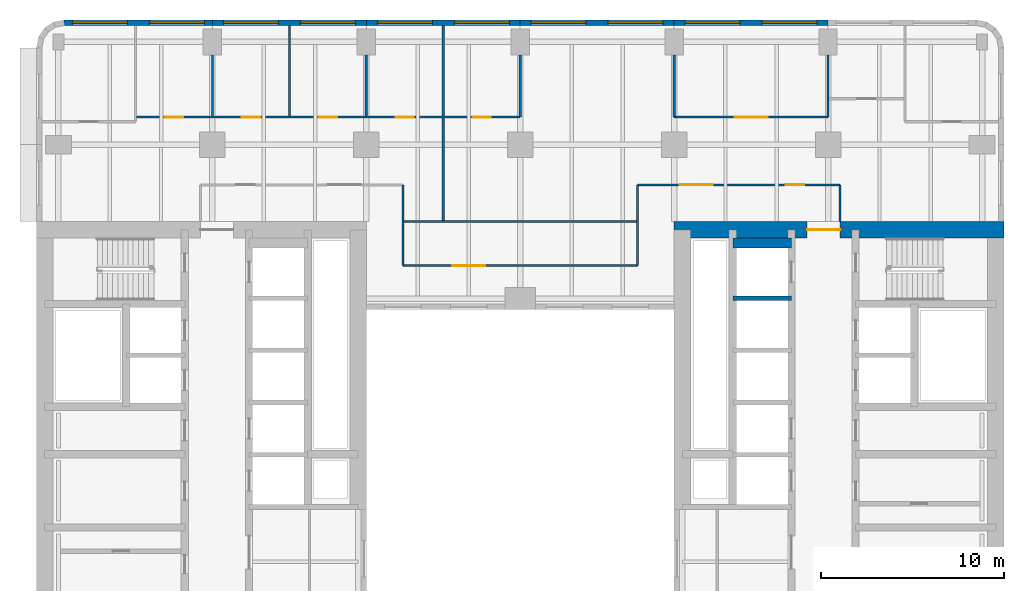
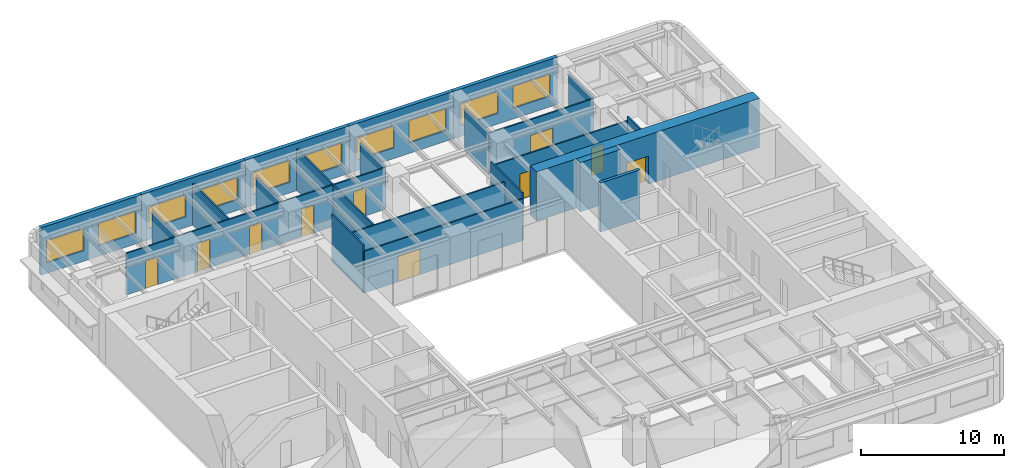
# One storey, part 7 of 11: 24 walls, 10 doors, 10 windows, 20 openings.
"""IFC4 building model written with IfcOpenShell, lengths in metres."""

from ifc_helpers import new_model, si_unit, direction, frame, frame_2d, origin, place, context, subcontext, project, spatial, rectangle, extrude, material, layer, layer_set, type_object, element, fill, save


model = new_model("IFC4")

# Units and contexts
model_context = context("Model", 3, precision=1e-05, world=origin(), true_north=direction((0.0, 1.0)))
body_context = subcontext(model_context, "Body", "Model", "MODEL_VIEW")
ifc_project = project(units=[si_unit("LENGTHUNIT", "METRE"), si_unit("AREAUNIT", "SQUARE_METRE"), si_unit("VOLUMEUNIT", "CUBIC_METRE"), si_unit("PLANEANGLEUNIT", "RADIAN"), si_unit("MASSUNIT", "GRAM", prefix="KILO")], contexts=[model_context])

# Site, building, storey
site_placement = place(None, origin())
site = spatial("IfcSite", under=ifc_project, at=site_placement, CompositionType="ELEMENT")
building_placement = place(site_placement, origin())
building = spatial("IfcBuilding", under=site, at=building_placement, Name="Claustro Exchange Tower", CompositionType="ELEMENT")
storey_placement = place(building_placement, frame((0.0, 0.0, 142.800048828125)))
storey = spatial("IfcBuildingStorey", under=building, at=storey_placement, Name="L32", CompositionType="ELEMENT", Elevation=142.800048828125)

# Wall, openings, doors
ifc_material_1 = material(Name="Laminated glass in aluminium frame", Category="aluminium")
ifc_layer_1 = layer(ifc_material_1, 0.1201171875)
ifc_layer_set_1 = layer_set([ifc_layer_1], Name="Laminated glass in aluminium frame")
wall_type_1 = type_object("IfcWallType", Name="P2 120 glazed partition", PredefinedType="PARTITIONING", material=ifc_layer_set_1)
wall_1_placement = place(storey_placement, frame((4.258056640625, 43.5, 0.0), z_axis=(0.0, 0.0, 1.0), x_axis=(1.0, 0.0, 0.0)))
wall_1 = element("IfcWall", 1, at=wall_1_placement, inside=storey, type_object=wall_type_1, Name="Partition P2 L32", PredefinedType="PARTITIONING", context=body_context, shape_type="SweptSolid", body=[
    extrude(rectangle(XDim=20.94189453125, YDim=0.1201171875, at=frame_2d((10.470947265625, 0.0))), origin(), (0.0, 0.0, 1.0), 3.550048828125),
])
opening_1_placement = place(wall_1_placement, frame((1.5419921875, 0.0, 0.0)))
opening_1 = element("IfcOpeningElement", 2, at=opening_1_placement, cuts=wall_1, Name="Opening D7", PredefinedType="OPENING", context=body_context, shape_type="SweptSolid", body=[
    extrude(rectangle(XDim=1.0, YDim=2.39990234375, at=frame_2d((0.5, 1.199951171875))), frame((0.0, 0.070068359375, 0.0), z_axis=(0.0, -1.0, 0.0), x_axis=(1.0, 0.0, 0.0)), (0.0, 0.0, 1.0), 0.14013671875),
])
opening_2_placement = place(wall_1_placement, frame((5.741943359375, 0.0, 0.0)))
opening_2 = element("IfcOpeningElement", 3, at=opening_2_placement, cuts=wall_1, Name="Opening D7", PredefinedType="OPENING", context=body_context, shape_type="SweptSolid", body=[
    extrude(rectangle(XDim=1.0, YDim=2.39990234375, at=frame_2d((0.5, 1.199951171875))), frame((0.0, 0.070068359375, 0.0), z_axis=(0.0, -1.0, 0.0), x_axis=(1.0, 0.0, 0.0)), (0.0, 0.0, 1.0), 0.14013671875),
])
opening_3_placement = place(wall_1_placement, frame((9.94189453125, 0.0, 0.0)))
opening_3 = element("IfcOpeningElement", 4, at=opening_3_placement, cuts=wall_1, Name="Opening D7", PredefinedType="OPENING", context=body_context, shape_type="SweptSolid", body=[
    extrude(rectangle(XDim=1.0, YDim=2.39990234375, at=frame_2d((0.5, 1.199951171875))), frame((0.0, 0.070068359375, 0.0), z_axis=(0.0, -1.0, 0.0), x_axis=(1.0, 0.0, 0.0)), (0.0, 0.0, 1.0), 0.14013671875),
])
opening_4_placement = place(wall_1_placement, frame((14.14208984375, 0.0, 0.0)))
opening_4 = element("IfcOpeningElement", 5, at=opening_4_placement, cuts=wall_1, Name="Opening D7", PredefinedType="OPENING", context=body_context, shape_type="SweptSolid", body=[
    extrude(rectangle(XDim=1.0, YDim=2.39990234375, at=frame_2d((0.5, 1.199951171875))), frame((0.0, 0.070068359375, 0.0), z_axis=(0.0, -1.0, 0.0), x_axis=(1.0, 0.0, 0.0)), (0.0, 0.0, 1.0), 0.14013671875),
])
opening_5_placement = place(wall_1_placement, frame((18.342041015625, 0.0, 0.0)))
opening_5 = element("IfcOpeningElement", 6, at=opening_5_placement, cuts=wall_1, Name="Opening D7", PredefinedType="OPENING", context=body_context, shape_type="SweptSolid", body=[
    extrude(rectangle(XDim=1.0, YDim=2.39990234375, at=frame_2d((0.5, 1.199951171875))), frame((0.0, 0.070068359375, 0.0), z_axis=(0.0, -1.0, 0.0), x_axis=(1.0, 0.0, 0.0)), (0.0, 0.0, 1.0), 0.14013671875),
])
ifc_material_2 = material(Name="Glass door in aluminium frame", Category="aluminium")
door_type_1 = type_object("IfcDoorType", Name="D7 1000 x 2400 glazed door", OperationType="SINGLE_SWING_LEFT", PredefinedType="DOOR", material=ifc_material_2)
door_1_placement = place(opening_1_placement, origin())
door_1 = element("IfcDoor", 7, at=door_1_placement, inside=storey, type_object=door_type_1, Name="Door D7 L32", OperationType="SINGLE_SWING_LEFT", OverallHeight=2.39990234375, OverallWidth=1.0, PredefinedType="DOOR", context=body_context, shape_type="SweptSolid", body=[
    extrude(rectangle(XDim=1.0, YDim=2.39990234375, at=frame_2d((0.5, 1.199951171875))), frame((0.0, 0.02490234375, 0.0), z_axis=(0.0, -1.0, 0.0), x_axis=(1.0, 0.0, 0.0)), (0.0, 0.0, 1.0), 0.050048828125),
])
fill(opening_1, door_1)
door_2_placement = place(opening_2_placement, origin())
door_2 = element("IfcDoor", 8, at=door_2_placement, inside=storey, type_object=door_type_1, Name="Door D7 L32", OperationType="SINGLE_SWING_RIGHT", OverallHeight=2.39990234375, OverallWidth=1.0, PredefinedType="DOOR", context=body_context, shape_type="SweptSolid", body=[
    extrude(rectangle(XDim=1.0, YDim=2.39990234375, at=frame_2d((0.5, 1.199951171875))), frame((0.0, 0.02490234375, 0.0), z_axis=(0.0, -1.0, 0.0), x_axis=(1.0, 0.0, 0.0)), (0.0, 0.0, 1.0), 0.050048828125),
])
fill(opening_2, door_2)
door_3_placement = place(opening_3_placement, origin())
door_3 = element("IfcDoor", 9, at=door_3_placement, inside=storey, type_object=door_type_1, Name="Door D7 L32", OperationType="SINGLE_SWING_LEFT", OverallHeight=2.39990234375, OverallWidth=1.0, PredefinedType="DOOR", context=body_context, shape_type="SweptSolid", body=[
    extrude(rectangle(XDim=1.0, YDim=2.39990234375, at=frame_2d((0.5, 1.199951171875))), frame((0.0, 0.02490234375, 0.0), z_axis=(0.0, -1.0, 0.0), x_axis=(1.0, 0.0, 0.0)), (0.0, 0.0, 1.0), 0.050048828125),
])
fill(opening_3, door_3)
door_4_placement = place(opening_4_placement, origin())
door_4 = element("IfcDoor", 10, at=door_4_placement, inside=storey, type_object=door_type_1, Name="Door D7 L32", OperationType="SINGLE_SWING_LEFT", OverallHeight=2.39990234375, OverallWidth=1.0, PredefinedType="DOOR", context=body_context, shape_type="SweptSolid", body=[
    extrude(rectangle(XDim=1.0, YDim=2.39990234375, at=frame_2d((0.5, 1.199951171875))), frame((0.0, 0.02490234375, 0.0), z_axis=(0.0, -1.0, 0.0), x_axis=(1.0, 0.0, 0.0)), (0.0, 0.0, 1.0), 0.050048828125),
])
fill(opening_4, door_4)
door_5_placement = place(opening_5_placement, origin())
door_5 = element("IfcDoor", 11, at=door_5_placement, inside=storey, type_object=door_type_1, Name="Door D7 L32", OperationType="SINGLE_SWING_LEFT", OverallHeight=2.39990234375, OverallWidth=1.0, PredefinedType="DOOR", context=body_context, shape_type="SweptSolid", body=[
    extrude(rectangle(XDim=1.0, YDim=2.39990234375, at=frame_2d((0.5, 1.199951171875))), frame((0.0, 0.02490234375, 0.0), z_axis=(0.0, -1.0, 0.0), x_axis=(1.0, 0.0, 0.0)), (0.0, 0.0, 1.0), 0.050048828125),
])
fill(opening_5, door_5)

# Walls
wall_2_placement = place(storey_placement, frame((8.39990234375, 43.55810546875, 0.0), z_axis=(0.0, 0.0, 1.0), x_axis=(0.0, 1.0, 0.0)))
element("IfcWall", 12, at=wall_2_placement, inside=storey, type_object=wall_type_1, Name="Partition P2 L32", PredefinedType="PARTITIONING", context=body_context, shape_type="SweptSolid", body=[
    extrude(rectangle(XDim=3.3427734375, YDim=0.1201171875, at=frame_2d((1.67138671875, 0.0))), origin(), (0.0, 0.0, 1.0), 3.550048828125),
])
wall_3_placement = place(storey_placement, frame((12.60009765625, 43.55810546875, 0.0), z_axis=(0.0, 0.0, 1.0), x_axis=(0.0, 1.0, 0.0)))
element("IfcWall", 13, at=wall_3_placement, inside=storey, type_object=wall_type_1, Name="Partition P2 L32", PredefinedType="PARTITIONING", context=body_context, shape_type="SweptSolid", body=[
    extrude(rectangle(XDim=4.94384765625, YDim=0.1201171875, at=frame_2d((2.471923828125, 0.0))), origin(), (0.0, 0.0, 1.0), 3.56005859375),
])
wall_4_placement = place(storey_placement, frame((16.800048828125, 43.55810546875, 0.0), z_axis=(0.0, 0.0, 1.0), x_axis=(0.0, 1.0, 0.0)))
element("IfcWall", 14, at=wall_4_placement, inside=storey, type_object=wall_type_1, Name="Partition P2 L32", PredefinedType="PARTITIONING", context=body_context, shape_type="SweptSolid", body=[
    extrude(rectangle(XDim=3.3427734375, YDim=0.1201171875, at=frame_2d((1.67138671875, 0.0))), origin(), (0.0, 0.0, 1.0), 3.550048828125),
])
wall_5_placement = place(storey_placement, frame((21.0, 43.55810546875, 0.0), z_axis=(0.0, 0.0, 1.0), x_axis=(0.0, 1.0, 0.0)))
element("IfcWall", 15, at=wall_5_placement, inside=storey, type_object=wall_type_1, Name="Partition P2 L32", PredefinedType="PARTITIONING", context=body_context, shape_type="SweptSolid", body=[
    extrude(rectangle(XDim=4.94384765625, YDim=0.1201171875, at=frame_2d((2.471923828125, 0.0))), origin(), (0.0, 0.0, 1.0), 3.56005859375),
])
wall_6_placement = place(storey_placement, frame((25.199951171875, 43.5, 0.0), z_axis=(0.0, 0.0, 1.0), x_axis=(0.0, 1.0, 0.0)))
element("IfcWall", 16, at=wall_6_placement, inside=storey, type_object=wall_type_1, Name="Partition P2 L32", PredefinedType="PARTITIONING", context=body_context, shape_type="SweptSolid", body=[
    extrude(rectangle(XDim=3.40087890625, YDim=0.1201171875, at=frame_2d((1.700439453125, 0.0))), origin(), (0.0, 0.0, 1.0), 3.550048828125),
])

# Wall, opening, door
wall_7_placement = place(storey_placement, frame((33.60009765625, 43.5, 0.0), z_axis=(0.0, 0.0, 1.0), x_axis=(1.0, 0.0, 0.0)))
wall_7 = element("IfcWall", 17, at=wall_7_placement, inside=storey, type_object=wall_type_1, Name="Partition P2 L32", PredefinedType="PARTITIONING", context=body_context, shape_type="SweptSolid", body=[
    extrude(rectangle(XDim=8.39990234375, YDim=0.1201171875, at=frame_2d((4.199951171875, 0.0))), origin(), (0.0, 0.0, 1.0), 3.550048828125),
])
opening_6_placement = place(wall_7_placement, frame((3.300048828125, 0.0, 0.0)))
opening_6 = element("IfcOpeningElement", 18, at=opening_6_placement, cuts=wall_7, Name="Opening D2", PredefinedType="OPENING", context=body_context, shape_type="SweptSolid", body=[
    extrude(rectangle(XDim=1.800048828125, YDim=2.199951171875, at=frame_2d((0.89990234375, 1.10009765625))), frame((0.0, 0.070068359375, 0.0), z_axis=(0.0, -1.0, 0.0), x_axis=(1.0, 0.0, 0.0)), (0.0, 0.0, 1.0), 0.14013671875),
])
ifc_material_3 = material(Name="Timber door, oak veneer", Category="wood")
door_type_2 = type_object("IfcDoorType", Name="D2 1800 x 2200 double door", OperationType="DOUBLE_DOOR_SINGLE_SWING", PredefinedType="DOOR", material=ifc_material_3)
door_6_placement = place(opening_6_placement, origin())
door_6 = element("IfcDoor", 19, at=door_6_placement, inside=storey, type_object=door_type_2, Name="Double door D2 L32", OperationType="DOUBLE_DOOR_SINGLE_SWING", OverallHeight=2.199951171875, OverallWidth=1.800048828125, PredefinedType="DOOR", context=body_context, shape_type="SweptSolid", body=[
    extrude(rectangle(XDim=1.800048828125, YDim=2.199951171875, at=frame_2d((0.89990234375, 1.10009765625))), frame((0.0, 0.02490234375, 0.0), z_axis=(0.0, -1.0, 0.0), x_axis=(1.0, 0.0, 0.0)), (0.0, 0.0, 1.0), 0.050048828125),
])
fill(opening_6, door_6)

# Walls
for number, where, z_axis, x_axis, name in (
    (20, (33.60009765625, 43.5, 0.0), (0.0, 0.0, 1.0), (0.0, 1.0, 0.0), "Partition P2 L32"),
    (21, (42.0, 43.5, 0.0), (0.0, 0.0, 1.0), (0.0, 1.0, 0.0), "Partition P2 L32"),
):
    element("IfcWall", number, at=place(storey_placement, frame(where, z_axis=z_axis, x_axis=x_axis)), inside=storey, type_object=wall_type_1, Name=name, PredefinedType="PARTITIONING", context=body_context, shape_type="SweptSolid", body=[
        extrude(rectangle(XDim=3.40087890625, YDim=0.1201171875, at=frame_2d((1.700439453125, 0.0))), origin(), (0.0, 0.0, 1.0), 3.550048828125),
    ])
wall_8_placement = place(storey_placement, frame((21.0, 37.85791015625, 0.0), z_axis=(0.0, 0.0, 1.0), x_axis=(0.0, 1.0, 0.0)))
element("IfcWall", 22, at=wall_8_placement, inside=storey, type_object=wall_type_1, Name="Partition P2 L32", PredefinedType="PARTITIONING", context=body_context, shape_type="SweptSolid", body=[
    extrude(rectangle(XDim=5.583984375, YDim=0.1201171875, at=frame_2d((2.7919921875, 0.0))), origin(), (0.0, 0.0, 1.0), 3.550048828125),
])

# Wall, openings, doors
wall_9_placement = place(storey_placement, frame((31.60009765625, 39.800048828125, 0.0), z_axis=(0.0, 0.0, 1.0), x_axis=(1.0, 0.0, 0.0)))
wall_9 = element("IfcWall", 23, at=wall_9_placement, inside=storey, type_object=wall_type_1, Name="Partition P2 L32", PredefinedType="PARTITIONING", context=body_context, shape_type="SweptSolid", body=[
    extrude(rectangle(XDim=11.0498046875, YDim=0.1201171875, at=frame_2d((5.52490234375, 0.0))), origin(), (0.0, 0.0, 1.0), 3.68994140625),
])
opening_7_placement = place(wall_9_placement, frame((2.300048828125, 0.0, 0.0)))
opening_7 = element("IfcOpeningElement", 24, at=opening_7_placement, cuts=wall_9, Name="Opening D2", PredefinedType="OPENING", context=body_context, shape_type="SweptSolid", body=[
    extrude(rectangle(XDim=1.800048828125, YDim=2.199951171875, at=frame_2d((0.89990234375, 1.10009765625))), frame((0.0, 0.070068359375, 0.0), z_axis=(0.0, -1.0, 0.0), x_axis=(1.0, 0.0, 0.0)), (0.0, 0.0, 1.0), 0.14013671875),
])
opening_8_placement = place(wall_9_placement, frame((8.10009765625, 0.0, 0.0)))
opening_8 = element("IfcOpeningElement", 25, at=opening_8_placement, cuts=wall_9, Name="Opening D7", PredefinedType="OPENING", context=body_context, shape_type="SweptSolid", body=[
    extrude(rectangle(XDim=1.0, YDim=2.39990234375, at=frame_2d((0.5, 1.199951171875))), frame((0.0, 0.070068359375, 0.0), z_axis=(0.0, -1.0, 0.0), x_axis=(1.0, 0.0, 0.0)), (0.0, 0.0, 1.0), 0.14013671875),
])
door_7_placement = place(opening_7_placement, origin())
door_7 = element("IfcDoor", 26, at=door_7_placement, inside=storey, type_object=door_type_2, Name="Double door D2 L32", OperationType="DOUBLE_DOOR_SINGLE_SWING", OverallHeight=2.199951171875, OverallWidth=1.800048828125, PredefinedType="DOOR", context=body_context, shape_type="SweptSolid", body=[
    extrude(rectangle(XDim=1.800048828125, YDim=2.199951171875, at=frame_2d((0.89990234375, 1.10009765625))), frame((0.0, 0.02490234375, 0.0), z_axis=(0.0, -1.0, 0.0), x_axis=(1.0, 0.0, 0.0)), (0.0, 0.0, 1.0), 0.050048828125),
])
fill(opening_7, door_7)
door_8_placement = place(opening_8_placement, origin())
door_8 = element("IfcDoor", 27, at=door_8_placement, inside=storey, type_object=door_type_1, Name="Door D7 L32", OperationType="SINGLE_SWING_RIGHT", OverallHeight=2.39990234375, OverallWidth=1.0, PredefinedType="DOOR", context=body_context, shape_type="SweptSolid", body=[
    extrude(rectangle(XDim=1.0, YDim=2.39990234375, at=frame_2d((0.5, 1.199951171875))), frame((0.0, 0.02490234375, 0.0), z_axis=(0.0, -1.0, 0.0), x_axis=(1.0, 0.0, 0.0)), (0.0, 0.0, 1.0), 0.050048828125),
])
fill(opening_8, door_8)

# Walls
wall_10_placement = place(storey_placement, frame((42.64990234375, 37.800048828125, 0.0), z_axis=(0.0, 0.0, 1.0), x_axis=(0.0, 1.0, 0.0)))
element("IfcWall", 28, at=wall_10_placement, inside=storey, type_object=wall_type_1, Name="Partition P2 L32", PredefinedType="PARTITIONING", context=body_context, shape_type="SweptSolid", body=[
    extrude(rectangle(XDim=2.0, YDim=0.1201171875, at=frame_2d((1.0, 0.0))), origin(), (0.0, 0.0, 1.0), 4.050048828125),
])
for number, where, z_axis, x_axis, name in (
    (29, (18.800048828125, 35.39990234375, 0.0), (0.0, 0.0, 1.0), (0.0, 1.0, 0.0), "Partition P2 L32"),
    (30, (31.60009765625, 35.39990234375, 0.0), (0.0, 0.0, 1.0), (0.0, 1.0, 0.0), "Partition P2 L32"),
):
    element("IfcWall", number, at=place(storey_placement, frame(where, z_axis=z_axis, x_axis=x_axis)), inside=storey, type_object=wall_type_1, Name=name, PredefinedType="PARTITIONING", context=body_context, shape_type="SweptSolid", body=[
        extrude(rectangle(XDim=4.400146484375, YDim=0.1201171875, at=frame_2d((2.2001953125, 0.0))), origin(), (0.0, 0.0, 1.0), 4.050048828125),
    ])

# Wall, opening, door
wall_11_placement = place(storey_placement, frame((18.800048828125, 35.39990234375, 0.0), z_axis=(0.0, 0.0, 1.0), x_axis=(1.0, 0.0, 0.0)))
wall_11 = element("IfcWall", 31, at=wall_11_placement, inside=storey, type_object=wall_type_1, Name="Partition P2 L32", PredefinedType="PARTITIONING", context=body_context, shape_type="SweptSolid", body=[
    extrude(rectangle(XDim=12.800048828125, YDim=0.1201171875, at=frame_2d((6.39990234375, 0.0))), origin(), (0.0, 0.0, 1.0), 3.550048828125),
])
opening_9_placement = place(wall_11_placement, frame((2.699951171875, 0.0, 0.0)))
opening_9 = element("IfcOpeningElement", 32, at=opening_9_placement, cuts=wall_11, Name="Opening D2", PredefinedType="OPENING", context=body_context, shape_type="SweptSolid", body=[
    extrude(rectangle(XDim=1.800048828125, YDim=2.199951171875, at=frame_2d((0.89990234375, 1.10009765625))), frame((0.0, 0.070068359375, 0.0), z_axis=(0.0, -1.0, 0.0), x_axis=(1.0, 0.0, 0.0)), (0.0, 0.0, 1.0), 0.14013671875),
])
door_9_placement = place(opening_9_placement, origin())
door_9 = element("IfcDoor", 33, at=door_9_placement, inside=storey, type_object=door_type_2, Name="Double door D2 L32", OperationType="DOUBLE_DOOR_SINGLE_SWING", OverallHeight=2.199951171875, OverallWidth=1.800048828125, PredefinedType="DOOR", context=body_context, shape_type="SweptSolid", body=[
    extrude(rectangle(XDim=1.800048828125, YDim=2.199951171875, at=frame_2d((0.89990234375, 1.10009765625))), frame((0.0, 0.02490234375, 0.0), z_axis=(0.0, -1.0, 0.0), x_axis=(1.0, 0.0, 0.0)), (0.0, 0.0, 1.0), 0.050048828125),
])
fill(opening_9, door_9)

# Wall
wall_12_placement = place(storey_placement, frame((18.85791015625, 37.800048828125, 0.0), z_axis=(0.0, 0.0, 1.0), x_axis=(1.0, 0.0, 0.0)))
element("IfcWall", 34, at=wall_12_placement, inside=storey, type_object=wall_type_1, Name="Partition P2 L32", PredefinedType="PARTITIONING", context=body_context, shape_type="SweptSolid", body=[
    extrude(rectangle(XDim=12.68408203125, YDim=0.1201171875, at=frame_2d((6.342041015625, 0.0))), origin(), (0.0, 0.0, 1.0), 3.550048828125),
])

# Wall, openings, windows
ifc_material_4 = material(Name="Concrete HA-40 (C40/50), precast, white cement, acid-etched", Category="concrete")
ifc_layer_2 = layer(ifc_material_4, 0.300048828125)
ifc_layer_set_2 = layer_set([ifc_layer_2], Name="Concrete HA-40 (C40/50), precast, white cement, acid-etched")
wall_type_2 = type_object("IfcWallType", Name="PC1 300 precast concrete pier panel", PredefinedType="SOLIDWALL", material=ifc_layer_set_2)
wall_13_placement = place(storey_placement, frame((0.314697265625, 48.64990234375, 0.0), z_axis=(0.0, 0.0, 1.0), x_axis=(1.0, 0.0, 0.0)))
wall_13 = element("IfcWall", 35, at=wall_13_placement, inside=storey, type_object=wall_type_2, Name="Precast pier panel PC1 L32", PredefinedType="SOLIDWALL", context=body_context, shape_type="SweptSolid", body=[
    extrude(rectangle(XDim=8.085205078125, YDim=0.300048828125, at=frame_2d((4.04248046875, 0.0))), origin(), (0.0, 0.0, 1.0), 4.050048828125),
])
opening_10_placement = place(wall_13_placement, frame((0.442626953125, 0.0, 0.89990234375)))
opening_10 = element("IfcOpeningElement", 36, at=opening_10_placement, cuts=wall_13, Name="Opening W1", PredefinedType="OPENING", context=body_context, shape_type="SweptSolid", body=[
    extrude(rectangle(XDim=3.0, YDim=1.89990234375, at=frame_2d((1.5, 0.949951171875))), frame((0.0, 0.159912109375, 0.0), z_axis=(0.0, -1.0, 0.0), x_axis=(1.0, 0.0, 0.0)), (0.0, 0.0, 1.0), 0.320068359375),
])
opening_11_placement = place(wall_13_placement, frame((4.642578125, 0.0, 0.89990234375)))
opening_11 = element("IfcOpeningElement", 37, at=opening_11_placement, cuts=wall_13, Name="Opening W1", PredefinedType="OPENING", context=body_context, shape_type="SweptSolid", body=[
    extrude(rectangle(XDim=3.0, YDim=1.89990234375, at=frame_2d((1.5, 0.949951171875))), frame((0.0, 0.159912109375, 0.0), z_axis=(0.0, -1.0, 0.0), x_axis=(1.0, 0.0, 0.0)), (0.0, 0.0, 1.0), 0.320068359375),
])
ifc_material_5 = material(Name="Aluminium frame, clear double glazing", Category="aluminium")
window_type = type_object("IfcWindowType", Name="W1 3000 x 1900 window", PartitioningType="SINGLE_PANEL", PredefinedType="WINDOW", material=ifc_material_5)
window_1_placement = place(opening_10_placement, origin())
window_1 = element("IfcWindow", 38, at=window_1_placement, inside=storey, type_object=window_type, Name="Window W1 L32", OverallHeight=1.89990234375, OverallWidth=3.0, PartitioningType="SINGLE_PANEL", PredefinedType="WINDOW", context=body_context, shape_type="SweptSolid", body=[
    extrude(rectangle(XDim=3.0, YDim=1.89990234375, at=frame_2d((1.5, 0.949951171875))), frame((0.0, 0.030029296875, 0.0), z_axis=(0.0, -1.0, 0.0), x_axis=(1.0, 0.0, 0.0)), (0.0, 0.0, 1.0), 0.06005859375),
])
fill(opening_10, window_1)
window_2_placement = place(opening_11_placement, origin())
window_2 = element("IfcWindow", 39, at=window_2_placement, inside=storey, type_object=window_type, Name="Window W1 L32", OverallHeight=1.89990234375, OverallWidth=3.0, PartitioningType="SINGLE_PANEL", PredefinedType="WINDOW", context=body_context, shape_type="SweptSolid", body=[
    extrude(rectangle(XDim=3.0, YDim=1.89990234375, at=frame_2d((1.5, 0.949951171875))), frame((0.0, 0.030029296875, 0.0), z_axis=(0.0, -1.0, 0.0), x_axis=(1.0, 0.0, 0.0)), (0.0, 0.0, 1.0), 0.06005859375),
])
fill(opening_11, window_2)

wall_14_placement = place(storey_placement, frame((8.39990234375, 48.64990234375, 0.0), z_axis=(0.0, 0.0, 1.0), x_axis=(1.0, 0.0, 0.0)))
wall_14 = element("IfcWall", 40, at=wall_14_placement, inside=storey, type_object=wall_type_2, Name="Precast pier panel PC1 L32", PredefinedType="SOLIDWALL", context=body_context, shape_type="SweptSolid", body=[
    extrude(rectangle(XDim=8.400146484375, YDim=0.300048828125, at=frame_2d((4.2001953125, 0.0))), origin(), (0.0, 0.0, 1.0), 4.050048828125),
])
opening_12_placement = place(wall_14_placement, frame((0.60009765625, 0.0, 0.89990234375)))
opening_12 = element("IfcOpeningElement", 41, at=opening_12_placement, cuts=wall_14, Name="Opening W1", PredefinedType="OPENING", context=body_context, shape_type="SweptSolid", body=[
    extrude(rectangle(XDim=3.0, YDim=1.89990234375, at=frame_2d((1.5, 0.949951171875))), frame((0.0, 0.159912109375, 0.0), z_axis=(0.0, -1.0, 0.0), x_axis=(1.0, 0.0, 0.0)), (0.0, 0.0, 1.0), 0.320068359375),
])
opening_13_placement = place(wall_14_placement, frame((4.800048828125, 0.0, 0.89990234375)))
opening_13 = element("IfcOpeningElement", 42, at=opening_13_placement, cuts=wall_14, Name="Opening W1", PredefinedType="OPENING", context=body_context, shape_type="SweptSolid", body=[
    extrude(rectangle(XDim=3.0, YDim=1.89990234375, at=frame_2d((1.5, 0.949951171875))), frame((0.0, 0.159912109375, 0.0), z_axis=(0.0, -1.0, 0.0), x_axis=(1.0, 0.0, 0.0)), (0.0, 0.0, 1.0), 0.320068359375),
])
window_3_placement = place(opening_12_placement, origin())
window_3 = element("IfcWindow", 43, at=window_3_placement, inside=storey, type_object=window_type, Name="Window W1 L32", OverallHeight=1.89990234375, OverallWidth=3.0, PartitioningType="SINGLE_PANEL", PredefinedType="WINDOW", context=body_context, shape_type="SweptSolid", body=[
    extrude(rectangle(XDim=3.0, YDim=1.89990234375, at=frame_2d((1.5, 0.949951171875))), frame((0.0, 0.030029296875, 0.0), z_axis=(0.0, -1.0, 0.0), x_axis=(1.0, 0.0, 0.0)), (0.0, 0.0, 1.0), 0.06005859375),
])
fill(opening_12, window_3)
window_4_placement = place(opening_13_placement, origin())
window_4 = element("IfcWindow", 44, at=window_4_placement, inside=storey, type_object=window_type, Name="Window W1 L32", OverallHeight=1.89990234375, OverallWidth=3.0, PartitioningType="SINGLE_PANEL", PredefinedType="WINDOW", context=body_context, shape_type="SweptSolid", body=[
    extrude(rectangle(XDim=3.0, YDim=1.89990234375, at=frame_2d((1.5, 0.949951171875))), frame((0.0, 0.030029296875, 0.0), z_axis=(0.0, -1.0, 0.0), x_axis=(1.0, 0.0, 0.0)), (0.0, 0.0, 1.0), 0.06005859375),
])
fill(opening_13, window_4)

wall_15_placement = place(storey_placement, frame((16.800048828125, 48.64990234375, 0.0), z_axis=(0.0, 0.0, 1.0), x_axis=(1.0, 0.0, 0.0)))
wall_15 = element("IfcWall", 45, at=wall_15_placement, inside=storey, type_object=wall_type_2, Name="Precast pier panel PC1 L32", PredefinedType="SOLIDWALL", context=body_context, shape_type="SweptSolid", body=[
    extrude(rectangle(XDim=8.39990234375, YDim=0.300048828125, at=frame_2d((4.199951171875, 0.0))), origin(), (0.0, 0.0, 1.0), 4.050048828125),
])
opening_14_placement = place(wall_15_placement, frame((0.60009765625, 0.0, 0.89990234375)))
opening_14 = element("IfcOpeningElement", 46, at=opening_14_placement, cuts=wall_15, Name="Opening W1", PredefinedType="OPENING", context=body_context, shape_type="SweptSolid", body=[
    extrude(rectangle(XDim=3.0, YDim=1.89990234375, at=frame_2d((1.5, 0.949951171875))), frame((0.0, 0.159912109375, 0.0), z_axis=(0.0, -1.0, 0.0), x_axis=(1.0, 0.0, 0.0)), (0.0, 0.0, 1.0), 0.320068359375),
])
opening_15_placement = place(wall_15_placement, frame((4.800048828125, 0.0, 0.89990234375)))
opening_15 = element("IfcOpeningElement", 47, at=opening_15_placement, cuts=wall_15, Name="Opening W1", PredefinedType="OPENING", context=body_context, shape_type="SweptSolid", body=[
    extrude(rectangle(XDim=3.0, YDim=1.89990234375, at=frame_2d((1.5, 0.949951171875))), frame((0.0, 0.159912109375, 0.0), z_axis=(0.0, -1.0, 0.0), x_axis=(1.0, 0.0, 0.0)), (0.0, 0.0, 1.0), 0.320068359375),
])
window_5_placement = place(opening_14_placement, origin())
window_5 = element("IfcWindow", 48, at=window_5_placement, inside=storey, type_object=window_type, Name="Window W1 L32", OverallHeight=1.89990234375, OverallWidth=3.0, PartitioningType="SINGLE_PANEL", PredefinedType="WINDOW", context=body_context, shape_type="SweptSolid", body=[
    extrude(rectangle(XDim=3.0, YDim=1.89990234375, at=frame_2d((1.5, 0.949951171875))), frame((0.0, 0.030029296875, 0.0), z_axis=(0.0, -1.0, 0.0), x_axis=(1.0, 0.0, 0.0)), (0.0, 0.0, 1.0), 0.06005859375),
])
fill(opening_14, window_5)
window_6_placement = place(opening_15_placement, origin())
window_6 = element("IfcWindow", 49, at=window_6_placement, inside=storey, type_object=window_type, Name="Window W1 L32", OverallHeight=1.89990234375, OverallWidth=3.0, PartitioningType="SINGLE_PANEL", PredefinedType="WINDOW", context=body_context, shape_type="SweptSolid", body=[
    extrude(rectangle(XDim=3.0, YDim=1.89990234375, at=frame_2d((1.5, 0.949951171875))), frame((0.0, 0.030029296875, 0.0), z_axis=(0.0, -1.0, 0.0), x_axis=(1.0, 0.0, 0.0)), (0.0, 0.0, 1.0), 0.06005859375),
])
fill(opening_15, window_6)

wall_16_placement = place(storey_placement, frame((25.199951171875, 48.64990234375, 0.0), z_axis=(0.0, 0.0, 1.0), x_axis=(1.0, 0.0, 0.0)))
wall_16 = element("IfcWall", 50, at=wall_16_placement, inside=storey, type_object=wall_type_2, Name="Precast pier panel PC1 L32", PredefinedType="SOLIDWALL", context=body_context, shape_type="SweptSolid", body=[
    extrude(rectangle(XDim=8.400146484375, YDim=0.300048828125, at=frame_2d((4.2001953125, 0.0))), origin(), (0.0, 0.0, 1.0), 4.050048828125),
])
opening_16_placement = place(wall_16_placement, frame((0.60009765625, 0.0, 0.89990234375)))
opening_16 = element("IfcOpeningElement", 51, at=opening_16_placement, cuts=wall_16, Name="Opening W1", PredefinedType="OPENING", context=body_context, shape_type="SweptSolid", body=[
    extrude(rectangle(XDim=3.0, YDim=1.89990234375, at=frame_2d((1.5, 0.949951171875))), frame((0.0, 0.159912109375, 0.0), z_axis=(0.0, -1.0, 0.0), x_axis=(1.0, 0.0, 0.0)), (0.0, 0.0, 1.0), 0.320068359375),
])
opening_17_placement = place(wall_16_placement, frame((4.800048828125, 0.0, 0.89990234375)))
opening_17 = element("IfcOpeningElement", 52, at=opening_17_placement, cuts=wall_16, Name="Opening W1", PredefinedType="OPENING", context=body_context, shape_type="SweptSolid", body=[
    extrude(rectangle(XDim=3.0, YDim=1.89990234375, at=frame_2d((1.5, 0.949951171875))), frame((0.0, 0.159912109375, 0.0), z_axis=(0.0, -1.0, 0.0), x_axis=(1.0, 0.0, 0.0)), (0.0, 0.0, 1.0), 0.320068359375),
])
window_7_placement = place(opening_16_placement, origin())
window_7 = element("IfcWindow", 53, at=window_7_placement, inside=storey, type_object=window_type, Name="Window W1 L32", OverallHeight=1.89990234375, OverallWidth=3.0, PartitioningType="SINGLE_PANEL", PredefinedType="WINDOW", context=body_context, shape_type="SweptSolid", body=[
    extrude(rectangle(XDim=3.0, YDim=1.89990234375, at=frame_2d((1.5, 0.949951171875))), frame((0.0, 0.030029296875, 0.0), z_axis=(0.0, -1.0, 0.0), x_axis=(1.0, 0.0, 0.0)), (0.0, 0.0, 1.0), 0.06005859375),
])
fill(opening_16, window_7)
window_8_placement = place(opening_17_placement, origin())
window_8 = element("IfcWindow", 54, at=window_8_placement, inside=storey, type_object=window_type, Name="Window W1 L32", OverallHeight=1.89990234375, OverallWidth=3.0, PartitioningType="SINGLE_PANEL", PredefinedType="WINDOW", context=body_context, shape_type="SweptSolid", body=[
    extrude(rectangle(XDim=3.0, YDim=1.89990234375, at=frame_2d((1.5, 0.949951171875))), frame((0.0, 0.030029296875, 0.0), z_axis=(0.0, -1.0, 0.0), x_axis=(1.0, 0.0, 0.0)), (0.0, 0.0, 1.0), 0.06005859375),
])
fill(opening_17, window_8)

wall_17_placement = place(storey_placement, frame((33.60009765625, 48.64990234375, 0.0), z_axis=(0.0, 0.0, 1.0), x_axis=(1.0, 0.0, 0.0)))
wall_17 = element("IfcWall", 55, at=wall_17_placement, inside=storey, type_object=wall_type_2, Name="Precast pier panel PC1 L32", PredefinedType="SOLIDWALL", context=body_context, shape_type="SweptSolid", body=[
    extrude(rectangle(XDim=8.39990234375, YDim=0.300048828125, at=frame_2d((4.199951171875, 0.0))), origin(), (0.0, 0.0, 1.0), 4.050048828125),
])
opening_18_placement = place(wall_17_placement, frame((0.60009765625, 0.0, 0.89990234375)))
opening_18 = element("IfcOpeningElement", 56, at=opening_18_placement, cuts=wall_17, Name="Opening W1", PredefinedType="OPENING", context=body_context, shape_type="SweptSolid", body=[
    extrude(rectangle(XDim=3.0, YDim=1.89990234375, at=frame_2d((1.5, 0.949951171875))), frame((0.0, 0.159912109375, 0.0), z_axis=(0.0, -1.0, 0.0), x_axis=(1.0, 0.0, 0.0)), (0.0, 0.0, 1.0), 0.320068359375),
])
opening_19_placement = place(wall_17_placement, frame((4.800048828125, 0.0, 0.89990234375)))
opening_19 = element("IfcOpeningElement", 57, at=opening_19_placement, cuts=wall_17, Name="Opening W1", PredefinedType="OPENING", context=body_context, shape_type="SweptSolid", body=[
    extrude(rectangle(XDim=3.0, YDim=1.89990234375, at=frame_2d((1.5, 0.949951171875))), frame((0.0, 0.159912109375, 0.0), z_axis=(0.0, -1.0, 0.0), x_axis=(1.0, 0.0, 0.0)), (0.0, 0.0, 1.0), 0.320068359375),
])
window_9_placement = place(opening_18_placement, origin())
window_9 = element("IfcWindow", 58, at=window_9_placement, inside=storey, type_object=window_type, Name="Window W1 L32", OverallHeight=1.89990234375, OverallWidth=3.0, PartitioningType="SINGLE_PANEL", PredefinedType="WINDOW", context=body_context, shape_type="SweptSolid", body=[
    extrude(rectangle(XDim=3.0, YDim=1.89990234375, at=frame_2d((1.5, 0.949951171875))), frame((0.0, 0.030029296875, 0.0), z_axis=(0.0, -1.0, 0.0), x_axis=(1.0, 0.0, 0.0)), (0.0, 0.0, 1.0), 0.06005859375),
])
fill(opening_18, window_9)
window_10_placement = place(opening_19_placement, origin())
window_10 = element("IfcWindow", 59, at=window_10_placement, inside=storey, type_object=window_type, Name="Window W1 L32", OverallHeight=1.89990234375, OverallWidth=3.0, PartitioningType="SINGLE_PANEL", PredefinedType="WINDOW", context=body_context, shape_type="SweptSolid", body=[
    extrude(rectangle(XDim=3.0, YDim=1.89990234375, at=frame_2d((1.5, 0.949951171875))), frame((0.0, 0.030029296875, 0.0), z_axis=(0.0, -1.0, 0.0), x_axis=(1.0, 0.0, 0.0)), (0.0, 0.0, 1.0), 0.06005859375),
])
fill(opening_19, window_10)

# Wall, opening, door
ifc_material_6 = material(Name="Concrete HA-70 (C70/85)", Category="concrete")
ifc_layer_3 = layer(ifc_material_6, 0.89990234375)
ifc_layer_set_3 = layer_set([ifc_layer_3], Name="Concrete HA-70 (C70/85)")
wall_type_3 = type_object("IfcWallType", Name="SW1 900 core shear wall", PredefinedType="SHEAR", material=ifc_layer_set_3)
wall_18_placement = place(storey_placement, frame((33.60009765625, 37.35009765625, 0.0), z_axis=(0.0, 0.0, 1.0), x_axis=(1.0, 0.0, 0.0)))
wall_18 = element("IfcWall", 60, at=wall_18_placement, inside=storey, type_object=wall_type_3, Name="Core wall SW1 E core N face L32", PredefinedType="SHEAR", context=body_context, shape_type="SweptSolid", body=[
    extrude(rectangle(XDim=18.0, YDim=0.89990234375, at=frame_2d((9.0, 0.0))), origin(), (0.0, 0.0, 1.0), 4.199951171875),
])
opening_20_placement = place(wall_18_placement, frame((7.25, 0.0, 0.0)))
opening_20 = element("IfcOpeningElement", 61, at=opening_20_placement, cuts=wall_18, Name="Opening D3", PredefinedType="OPENING", context=body_context, shape_type="SweptSolid", body=[
    extrude(rectangle(XDim=1.800048828125, YDim=2.39990234375, at=frame_2d((0.89990234375, 1.199951171875))), frame((0.0, 0.4599609375, 0.0), z_axis=(0.0, -1.0, 0.0), x_axis=(1.0, 0.0, 0.0)), (0.0, 0.0, 1.0), 0.919921875),
])
ifc_material_7 = material(Name="Steel fire door, painted", Category="steel")
door_type_3 = type_object("IfcDoorType", Name="D3 1800 x 2400 fire-rated lobby double door", OperationType="DOUBLE_DOOR_SINGLE_SWING", PredefinedType="DOOR", material=ifc_material_7)
door_10_placement = place(opening_20_placement, frame((1.800048828125, 0.0, 0.0), z_axis=(0.0, 0.0, 1.0), x_axis=(-1.0, 0.0, 0.0)))
door_10 = element("IfcDoor", 62, at=door_10_placement, inside=storey, type_object=door_type_3, Name="Lift lobby door D3 L32", OperationType="DOUBLE_DOOR_SINGLE_SWING", OverallHeight=2.39990234375, OverallWidth=1.800048828125, PredefinedType="DOOR", context=body_context, shape_type="SweptSolid", body=[
    extrude(rectangle(XDim=1.800048828125, YDim=2.39990234375, at=frame_2d((0.89990234375, 1.199951171875))), frame((0.0, 0.02490234375, 0.0), z_axis=(0.0, -1.0, 0.0), x_axis=(1.0, 0.0, 0.0)), (0.0, 0.0, 1.0), 0.050048828125),
])
fill(opening_20, door_10)

# Walls
ifc_material_8 = material(Name="Concrete HA-50 (C50/60)", Category="concrete")
ifc_layer_4 = layer(ifc_material_8, 0.25)
ifc_layer_set_4 = layer_set([ifc_layer_4], Name="Concrete HA-50 (C50/60)")
wall_type_4 = type_object("IfcWallType", Name="SW5 250 lift shaft divider wall", PredefinedType="SHEAR", material=ifc_layer_set_4)
wall_19_placement = place(storey_placement, frame((40.0, 33.625, 0.0), z_axis=(0.0, 0.0, 1.0), x_axis=(-1.0, 0.0, 0.0)))
element("IfcWall", 63, at=wall_19_placement, inside=storey, type_object=wall_type_4, Name="Lift shaft wall E core L32", PredefinedType="SHEAR", context=body_context, shape_type="SweptSolid", body=[
    extrude(rectangle(XDim=3.199951171875, YDim=0.25, at=frame_2d((1.60009765625, 0.0))), origin(), (0.0, 0.0, 1.0), 4.199951171875),
])
ifc_material_9 = material(Name="Concrete HA-50 (C50/60)", Category="concrete")
ifc_layer_5 = layer(ifc_material_9, 0.550048828125)
ifc_layer_set_5 = layer_set([ifc_layer_5], Name="Concrete HA-50 (C50/60)")
wall_type_5 = type_object("IfcWallType", Name="SW6 550 lift shaft end wall", PredefinedType="SHEAR", material=ifc_layer_set_5)
wall_20_placement = place(storey_placement, frame((40.0, 36.625, 0.0), z_axis=(0.0, 0.0, 1.0), x_axis=(-1.0, 0.0, 0.0)))
element("IfcWall", 64, at=wall_20_placement, inside=storey, type_object=wall_type_5, Name="Lift shaft wall E core L32", PredefinedType="SHEAR", context=body_context, shape_type="SweptSolid", body=[
    extrude(rectangle(XDim=3.199951171875, YDim=0.550048828125, at=frame_2d((1.60009765625, 0.0))), origin(), (0.0, 0.0, 1.0), 4.199951171875),
])

save(model, "model.ifc")
